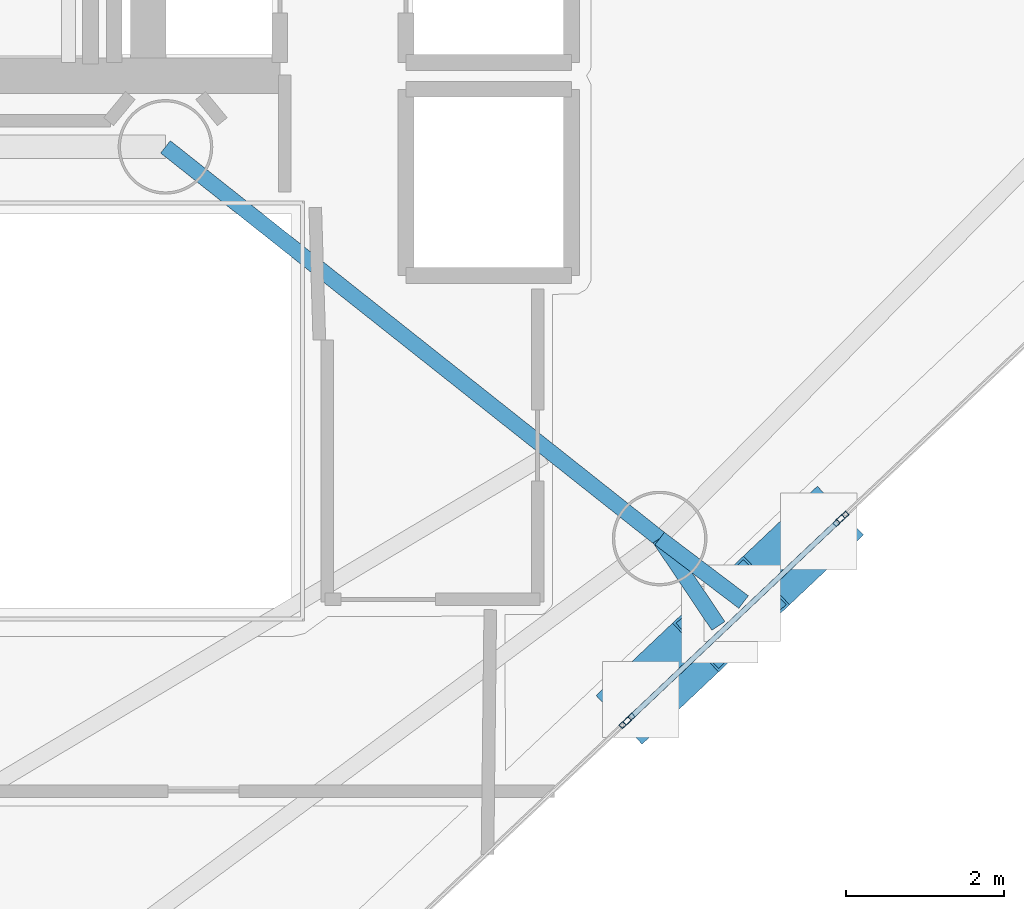
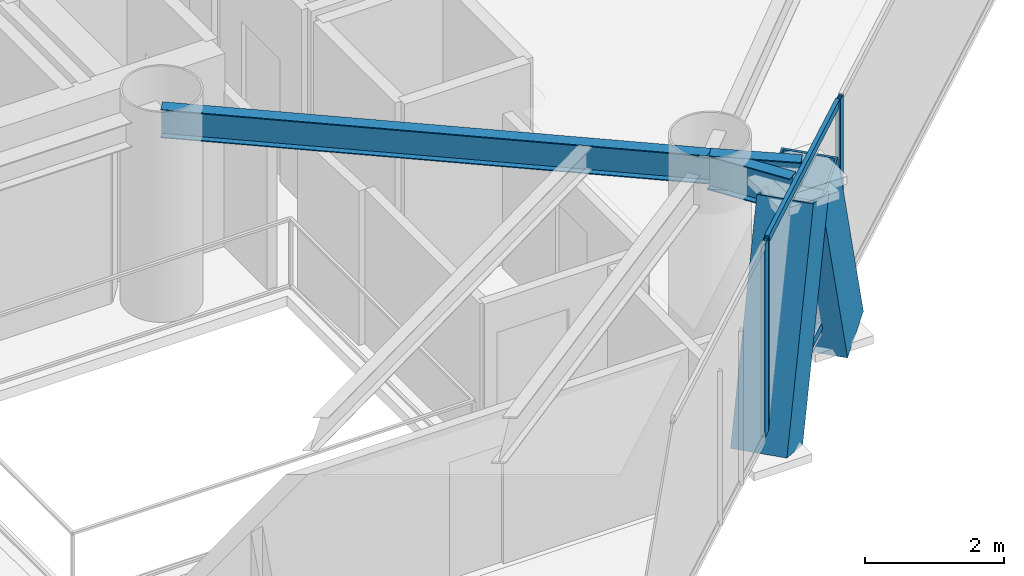
# One storey, part 5 of 20: 8 members, 3 beams, 3 elements without a shape of their own.
"""IFC4 building model written with IfcOpenShell, lengths in metres."""

import ifcopenshell
import ifcopenshell.guid

model = None  # the IFC model being written
_history = None  # IfcOwnerHistory: only IFC2X3 demands one
_inside = {}  # id of a spatial element -> (the spatial element, [elements in it])
_under = {}  # id of a project, library or spatial element -> (it, [spatial elements below it])
_declared = {}  # id of a project -> (the project, [libraries it declares])
_typed = {}  # id of a type object -> (the type object, [elements of that type])
_made_of = {}  # id of a material, layer set ... -> (it, [elements and type objects made of it])


def new_model(schema):
    """Start an empty IFC model of exactly this schema.

    Asked for "IFC4X3", IfcOpenShell would pick the latest addendum, in which some entities
    have other attributes; the version numbers below select the first issue.
    IFC2X3 requires an IfcOwnerHistory on every rooted entity: one is made here for all.
    """
    global model, _history
    if schema == "IFC4X3":
        model = ifcopenshell.file(schema_version=(4, 3, 0, 0))
    else:
        model = ifcopenshell.file(schema=schema)
    _inside.clear()
    _under.clear()
    _declared.clear()
    _typed.clear()
    _made_of.clear()
    _history = None
    if model.schema == "IFC2X3":
        org = make("IfcOrganization", Name="unknown")
        user = make(
            "IfcPersonAndOrganization",
            ThePerson=make("IfcPerson", FamilyName="unknown"),
            TheOrganization=org,
        )
        app = make(
            "IfcApplication",
            ApplicationDeveloper=org,
            Version="unknown",
            ApplicationFullName="unknown",
            ApplicationIdentifier="unknown",
        )
        _history = make(
            "IfcOwnerHistory",
            OwningUser=user,
            OwningApplication=app,
            ChangeAction="ADDED",
            CreationDate=0,
        )
    return model


def make(cls, **values):
    """One entity of the class cls with the attributes given. An attribute that is None is left unset."""
    return model.create_entity(
        cls, **{name: value for name, value in values.items() if value is not None}
    )


def rooted(cls, **values):
    """An entity with a GlobalId (a new one), such as an element, a storey or a relation."""
    return make(cls, GlobalId=ifcopenshell.guid.new(), OwnerHistory=_history, **values)


def si_unit(unit_type, name, prefix=None):
    """IfcSIUnit, for example si_unit("LENGTHUNIT", "METRE", prefix="MILLI")."""
    return make("IfcSIUnit", UnitType=unit_type, Prefix=prefix, Name=name)


def assignment(units):
    """IfcUnitAssignment: the units of a project."""
    return None if units is None else make("IfcUnitAssignment", Units=units)


def point(xyz):
    """IfcCartesianPoint."""
    return None if xyz is None else make("IfcCartesianPoint", Coordinates=xyz)


def direction(xyz):
    """IfcDirection."""
    return None if xyz is None else make("IfcDirection", DirectionRatios=xyz)


def frame(location, z_axis=None, x_axis=None):
    """IfcAxis2Placement3D, a coordinate frame: its origin and axes. An axis left out is left unset."""
    return make(
        "IfcAxis2Placement3D",
        Location=point(location),
        Axis=direction(z_axis),
        RefDirection=direction(x_axis),
    )


def frame_2d(location, x_axis=None):
    """IfcAxis2Placement2D, a coordinate frame in the plane: its origin and x axis."""
    return make(
        "IfcAxis2Placement2D", Location=point(location), RefDirection=direction(x_axis)
    )


def origin():
    """The frame at (0, 0, 0) with its axes left unset."""
    return frame((0.0, 0.0, 0.0))


def origin_2d():
    """The frame at (0, 0) in the plane with its x axis left unset."""
    return frame_2d((0.0, 0.0))


def place(relative_to, where):
    """IfcLocalPlacement: puts the frame where relative to a parent placement (None: the world)."""
    return make(
        "IfcLocalPlacement", PlacementRelTo=relative_to, RelativePlacement=where
    )


def context(
    kind, dimensions, precision=None, world=None, true_north=None, identifier=None
):
    """IfcGeometricRepresentationContext, for example the 3D "Model" context."""
    return make(
        "IfcGeometricRepresentationContext",
        ContextIdentifier=identifier,
        ContextType=kind,
        CoordinateSpaceDimension=dimensions,
        Precision=precision,
        WorldCoordinateSystem=world,
        TrueNorth=true_north,
    )


def subcontext(parent, identifier, kind, view, scale=None):
    """IfcGeometricRepresentationSubContext, for example "Body" below "Model"."""
    return make(
        "IfcGeometricRepresentationSubContext",
        ContextIdentifier=identifier,
        ContextType=kind,
        ParentContext=parent,
        TargetScale=scale,
        TargetView=view,
    )


def project(units=None, contexts=None):
    """IfcProject with its units and contexts."""
    return rooted(
        "IfcProject",
        Name="project",
        RepresentationContexts=contexts,
        UnitsInContext=assignment(units),
    )


def spatial(cls, under=None, at=None, **own):
    """A site, building, storey or space (cls), placed at a placement, below another one or the project."""
    s = rooted(cls, ObjectPlacement=at, **own)
    if under is not None:
        _under.setdefault(under.id(), (under, []))[1].append(s)
    return s


def profile(cls, at=None, kind="AREA", **sizes):
    """A parametric profile (cls). Its sizes go by their IFC names, for example OverallWidth=200.0."""
    return make(cls, ProfileType=kind, Position=at, **sizes)


def hollow_rectangle(**sizes):
    """IfcRectangleHollowProfileDef."""
    return profile("IfcRectangleHollowProfileDef", **sizes)


def i_section(**sizes):
    """IfcIShapeProfileDef."""
    return profile("IfcIShapeProfileDef", **sizes)


def extrude(swept, where, along, depth):
    """IfcExtrudedAreaSolid: the profile swept, set in the frame where, extruded along a direction by depth."""
    return make(
        "IfcExtrudedAreaSolid",
        SweptArea=swept,
        Position=where,
        ExtrudedDirection=direction(along),
        Depth=depth,
    )


def shape(context_of_items, identifier, shape_type, items):
    """IfcShapeRepresentation: the items that make up one representation, for example the "Body"."""
    return make(
        "IfcShapeRepresentation",
        ContextOfItems=context_of_items,
        RepresentationIdentifier=identifier,
        RepresentationType=shape_type,
        Items=items,
    )


def material(Name=None, Category=None):
    """IfcMaterial."""
    return make("IfcMaterial", Name=Name, Category=Category)


def layer(
    of_material, thickness, ventilated=None, Name=None, Category=None, Priority=None
):
    """IfcMaterialLayer: one layer of a wall or slab, of a material (None: an air gap)."""
    return make(
        "IfcMaterialLayer",
        Material=of_material,
        LayerThickness=thickness,
        IsVentilated=ventilated,
        Name=Name,
        Category=Category,
        Priority=Priority,
    )


def layer_set(layers, Name=None):
    """IfcMaterialLayerSet."""
    return make("IfcMaterialLayerSet", MaterialLayers=layers, LayerSetName=Name)


def material_profile(
    of_material, cross_section, Name=None, Category=None, Priority=None
):
    """IfcMaterialProfile: a cross section and its material."""
    return make(
        "IfcMaterialProfile",
        Name=Name,
        Material=of_material,
        Profile=cross_section,
        Priority=Priority,
        Category=Category,
    )


def profile_set(profiles, Name=None, composite=None):
    """IfcMaterialProfileSet."""
    return make(
        "IfcMaterialProfileSet",
        Name=Name,
        MaterialProfiles=profiles,
        CompositeProfile=composite,
    )


def made_of(thing, what):
    """Note that an element or type object is made of a material, layer set ...; save() writes the relation."""
    if what is not None:
        _made_of.setdefault(what.id(), (what, []))[1].append(thing)
    return thing


def type_object(cls, material=None, **own):
    """A type object (cls), such as IfcWallType, which elements share."""
    return made_of(rooted(cls, **own), material)


def element(
    cls,
    number,
    at=None,
    inside=None,
    cuts=None,
    type_object=None,
    material=None,
    context=None,
    identifier="Body",
    shape_type=None,
    held_by="IfcProductDefinitionShape",
    body=None,
    shapes=None,
    **own,
):
    """One element of the class cls, such as IfcWall. Its Tag is "e" and its number.

    at: its placement. inside: the storey or other place that contains it. cuts: it is an
    opening in that element (IfcRelVoidsElement). A single representation is given by context,
    identifier, shape_type and body (its items); several are given by shapes. held_by: the class
    of the entity that holds the representations. save() writes the other relations.
    """
    e = rooted(cls, Tag="e%d" % number, ObjectPlacement=at, **own)
    if body is not None:
        shapes = [shape(context, identifier, shape_type, body)]
    if shapes is not None:
        e.Representation = make(held_by, Representations=shapes)
    if inside is not None:
        _inside.setdefault(inside.id(), (inside, []))[1].append(e)
    if cuts is not None:
        rooted(
            "IfcRelVoidsElement", RelatingBuildingElement=cuts, RelatedOpeningElement=e
        )
    if type_object is not None:
        _typed.setdefault(type_object.id(), (type_object, []))[1].append(e)
    return made_of(e, material)


def aggregate(whole, parts):
    """IfcRelAggregates: a whole, such as a stair, and the parts it consists of."""
    return rooted("IfcRelAggregates", RelatingObject=whole, RelatedObjects=parts)


def save(model, path):
    """Write the relations noted so far, then the file.

    IfcRelAggregates (storeys below a building ...), IfcRelContainedInSpatialStructure (elements
    in a storey), IfcRelDefinesByType, IfcRelAssociatesMaterial and IfcRelDeclares: one each for
    every whole, place, type object, material and project.
    """
    for whole, parts in _under.values():
        aggregate(whole, parts)
    for where, things in _inside.values():
        rooted(
            "IfcRelContainedInSpatialStructure",
            RelatedElements=things,
            RelatingStructure=where,
        )
    for kind, things in _typed.values():
        rooted("IfcRelDefinesByType", RelatedObjects=things, RelatingType=kind)
    for what, things in _made_of.values():
        rooted("IfcRelAssociatesMaterial", RelatedObjects=things, RelatingMaterial=what)
    for by, libraries in _declared.values():
        rooted("IfcRelDeclares", RelatingContext=by, RelatedDefinitions=libraries)
    model.write(path)


model = new_model("IFC4")

# Units and contexts
model_context = context("Model", 3, precision=1e-05, world=origin(), true_north=direction((0.0, 1.0)))
body_context = subcontext(model_context, "Body", "Model", "MODEL_VIEW")
ifc_project = project(units=[si_unit("LENGTHUNIT", "METRE"), si_unit("AREAUNIT", "SQUARE_METRE"), si_unit("VOLUMEUNIT", "CUBIC_METRE"), si_unit("PLANEANGLEUNIT", "RADIAN"), si_unit("MASSUNIT", "GRAM", prefix="KILO")], contexts=[model_context])

# Site, building, storey
site_placement = place(None, origin())
site = spatial("IfcSite", under=ifc_project, at=site_placement, CompositionType="ELEMENT")
building_placement = place(site_placement, origin())
building = spatial("IfcBuilding", under=site, at=building_placement, Name="Qianvela Tower", CompositionType="ELEMENT")
storey_placement = place(building_placement, frame((0.0, 0.0, 226.199951171875)))
storey = spatial("IfcBuildingStorey", under=building, at=storey_placement, Name="L58", CompositionType="ELEMENT", Elevation=226.199951171875)

# Beams
ifc_material_1 = material(Name="Steel Q355B", Category="steel")
ifc_material_profile_1 = material_profile(ifc_material_1, i_section(OverallWidth=0.199951171875, OverallDepth=0.5, WebThickness=0.010009765625, FlangeThickness=0.01611328125, at=origin_2d()), Name="HN500x200x10x16")
ifc_profile_set_1 = profile_set([ifc_material_profile_1], Name="Steel Q355B")
beam_type_1 = type_object("IfcBeamType", Name="BM-HN500-GIRD", PredefinedType="BEAM", material=ifc_profile_set_1)
beam_1_placement = place(storey_placement, frame((38.39990234375, 23.85009765625, 3.14794921875), z_axis=(0.783705217119, -0.621132942824, 0.0), x_axis=(0.621132942824, 0.783705217119, 0.0)))
element("IfcBeam", 1, at=beam_1_placement, inside=storey, type_object=beam_type_1, Name="L58 Radial Primary Floor Girder 6", PredefinedType="BEAM", context=body_context, shape_type="SweptSolid", body=[
    extrude(i_section(OverallWidth=0.199951171875, OverallDepth=0.5, WebThickness=0.010009765625, FlangeThickness=0.01611328125, at=origin_2d()), origin(), (0.0, 0.0, 1.0), 7.996826171875),
])
ifc_material_2 = material(Name="Steel Q355B", Category="steel")
ifc_material_profile_2 = material_profile(ifc_material_2, i_section(OverallWidth=0.199951171875, OverallDepth=0.60009765625, WebThickness=0.010986328125, FlangeThickness=0.01708984375, at=origin_2d()), Name="HN600x200x11x17")
ifc_profile_set_2 = profile_set([ifc_material_profile_2], Name="Steel Q355B")
beam_type_2 = type_object("IfcBeamType", Name="BM-HN600-GIRD", PredefinedType="BEAM", material=ifc_profile_set_2)
beam_2_placement = place(storey_placement, frame((44.6669921875, 18.883056640625, 3.09814453125), z_axis=(0.557860813157, -0.829934523408, 0.0), x_axis=(0.829934523408, 0.557860813157, 0.0)))
element("IfcBeam", 2, at=beam_2_placement, inside=storey, type_object=beam_type_2, Name="L58 Mega-Brace Column Tie Bracket F3-1", PredefinedType="BEAM", context=body_context, shape_type="SweptSolid", body=[
    extrude(i_section(OverallWidth=0.199951171875, OverallDepth=0.60009765625, WebThickness=0.010986328125, FlangeThickness=0.01708984375, at=origin_2d()), origin(), (0.0, 0.0, 1.0), 1.335205078125),
])
beam_3_placement = place(storey_placement, frame((44.6669921875, 18.883056640625, 3.09814453125), z_axis=(0.797358815517, -0.603505525506, 0.0), x_axis=(0.603505525506, 0.797358815517, 0.0)))
element("IfcBeam", 3, at=beam_3_placement, inside=storey, type_object=beam_type_2, Name="L58 Mega-Brace Column Tie Bracket F3-2", PredefinedType="BEAM", context=body_context, shape_type="SweptSolid", body=[
    extrude(i_section(OverallWidth=0.199951171875, OverallDepth=0.60009765625, WebThickness=0.010986328125, FlangeThickness=0.01708984375, at=origin_2d()), origin(), (0.0, 0.0, 1.0), 1.3349609375),
])

# Curtain wall, members
ifc_material_3 = material(Name="Anodised Architectural Aluminium and Insulated Spandrel Panel", Category="aluminium")
ifc_layer_1 = layer(ifc_material_3, 0.179931640625)
ifc_layer_set_1 = layer_set([ifc_layer_1], Name="Anodised Architectural Aluminium and Insulated Spandrel Panel")
curtain_wall_type_1 = type_object("IfcCurtainWallType", Name="CW-BRACEBAY", PredefinedType="USERDEFINED", material=ifc_layer_set_1)
curtain_wall_1_placement = place(storey_placement, origin())
curtain_wall_1 = element("IfcCurtainWall", 4, at=curtain_wall_1_placement, inside=storey, type_object=curtain_wall_type_1, Name="L58 CW-BRACEBAY Curtain Wall 06B", ObjectType="CURTAIN_WALL_SYSTEM", PredefinedType="USERDEFINED")
ifc_material_4 = material(Name="Anodised Architectural Aluminium 6063-T6", Category="aluminium")
ifc_material_profile_3 = material_profile(ifc_material_4, hollow_rectangle(XDim=0.06494140625, YDim=0.159912109375, WallThickness=0.0048828125, at=origin_2d()), Name="ALU-MULL-65x160")
ifc_profile_set_3 = profile_set([ifc_material_profile_3], Name="Anodised Architectural Aluminium 6063-T6")
member_type_1 = type_object("IfcMemberType", Name="CW-BRACEBAY-MULL", PredefinedType="MULLION", material=ifc_profile_set_3)
member_1_placement = place(storey_placement, frame((44.277587890625, 16.592529296875, 0.0), z_axis=(0.0, 0.0, 1.0), x_axis=(-0.687002888745, 0.726654684741, 0.0)))
member_1 = element("IfcMember", 5, at=member_1_placement, type_object=member_type_1, Name="CW-9 mullion 1", PredefinedType="MULLION", context=body_context, shape_type="SweptSolid", body=[
    extrude(hollow_rectangle(XDim=0.06494140625, YDim=0.159912109375, WallThickness=0.0048828125, at=origin_2d()), origin(), (0.0, 0.0, 1.0), 3.400146484375),
])
member_2_placement = place(storey_placement, frame((46.940673828125, 19.1103515625, 0.0), z_axis=(0.0, 0.0, 1.0), x_axis=(-0.687002888745, 0.726654684741, 0.0)))
member_2 = element("IfcMember", 6, at=member_2_placement, type_object=member_type_1, Name="CW-9 mullion 2", PredefinedType="MULLION", context=body_context, shape_type="SweptSolid", body=[
    extrude(hollow_rectangle(XDim=0.06494140625, YDim=0.159912109375, WallThickness=0.0048828125, at=origin_2d()), origin(), (0.0, 0.0, 1.0), 3.400146484375),
])
ifc_material_5 = material(Name="Anodised Architectural Aluminium 6063-T6", Category="aluminium")
ifc_material_profile_4 = material_profile(ifc_material_5, hollow_rectangle(XDim=0.06494140625, YDim=0.1298828125, WallThickness=0.00439453125, at=origin_2d()), Name="ALU-TRAN-65x130")
ifc_profile_set_4 = profile_set([ifc_material_profile_4], Name="Anodised Architectural Aluminium 6063-T6")
member_type_2 = type_object("IfcMemberType", Name="CW-BRACEBAY-TRAN", PredefinedType="USERDEFINED", material=ifc_profile_set_4)
member_3_placement = place(storey_placement, frame((44.30126953125, 16.614990234375, 0.032470703125), z_axis=(0.726665120845, 0.686991850132, 0.0), x_axis=(-0.686991850132, 0.726665120845, 0.0)))
member_3 = element("IfcMember", 7, at=member_3_placement, type_object=member_type_2, Name="CW-9 transom 1.1", ObjectType="TRANSOM", PredefinedType="USERDEFINED", context=body_context, shape_type="SweptSolid", body=[
    extrude(hollow_rectangle(XDim=0.06494140625, YDim=0.1298828125, WallThickness=0.00439453125, at=origin_2d()), origin(), (0.0, 0.0, 1.0), 3.599853515625),
])
member_4_placement = place(storey_placement, frame((44.30126953125, 16.614990234375, 3.367431640625), z_axis=(0.726665120845, 0.686991850132, 0.0), x_axis=(-0.686991850132, 0.726665120845, 0.0)))
member_4 = element("IfcMember", 8, at=member_4_placement, type_object=member_type_2, Name="CW-9 transom 1.2", ObjectType="TRANSOM", PredefinedType="USERDEFINED", context=body_context, shape_type="SweptSolid", body=[
    extrude(hollow_rectangle(XDim=0.06494140625, YDim=0.1298828125, WallThickness=0.00439453125, at=origin_2d()), origin(), (0.0, 0.0, 1.0), 3.599853515625),
])
aggregate(curtain_wall_1, [member_1, member_2, member_3, member_4])

# Curtain wall, member
ifc_material_6 = material(Name="Anodised Architectural Aluminium and Low-E Glass", Category="aluminium")
ifc_layer_2 = layer(ifc_material_6, 0.159912109375)
ifc_layer_set_2 = layer_set([ifc_layer_2], Name="Anodised Architectural Aluminium and Low-E Glass")
curtain_wall_type_2 = type_object("IfcCurtainWallType", Name="CW-COLIV-Z56", PredefinedType="USERDEFINED", material=ifc_layer_set_2)
curtain_wall_2_placement = place(storey_placement, origin())
curtain_wall_2 = element("IfcCurtainWall", 9, at=curtain_wall_2_placement, inside=storey, type_object=curtain_wall_type_2, Name="L58 CW-COLIV-Z56 Curtain Wall 06A", ObjectType="CURTAIN_WALL_SYSTEM", PredefinedType="USERDEFINED")
ifc_material_7 = material(Name="Anodised Architectural Aluminium 6063-T6", Category="aluminium")
ifc_material_profile_5 = material_profile(ifc_material_7, hollow_rectangle(XDim=0.06494140625, YDim=0.159912109375, WallThickness=0.0048828125, at=origin_2d()), Name="ALU-MULL-65x160")
ifc_profile_set_5 = profile_set([ifc_material_profile_5], Name="Anodised Architectural Aluminium 6063-T6")
member_type_3 = type_object("IfcMemberType", Name="CW-COLIV-Z56-MULL", PredefinedType="MULLION", material=ifc_profile_set_5)
member_5_placement = place(storey_placement, frame((44.23046875, 16.5478515625, 0.0), z_axis=(0.0, 0.0, 1.0), x_axis=(-0.686997436207, 0.726659839708, 0.0)))
member_5 = element("IfcMember", 10, at=member_5_placement, type_object=member_type_3, Name="CW-5 mullion 3", PredefinedType="MULLION", context=body_context, shape_type="SweptSolid", body=[
    extrude(hollow_rectangle(XDim=0.06494140625, YDim=0.159912109375, WallThickness=0.0048828125, at=origin_2d()), origin(), (0.0, 0.0, 1.0), 3.400146484375),
])
aggregate(curtain_wall_2, [member_5])

curtain_wall_3_placement = place(storey_placement, origin())
curtain_wall_3 = element("IfcCurtainWall", 11, at=curtain_wall_3_placement, inside=storey, type_object=curtain_wall_type_2, Name="L58 CW-COLIV-Z56 Curtain Wall 06C", ObjectType="CURTAIN_WALL_SYSTEM", PredefinedType="USERDEFINED")
member_6_placement = place(storey_placement, frame((46.988037109375, 19.155029296875, 0.0), z_axis=(0.0, 0.0, 1.0), x_axis=(-0.686998309201, 0.726659014363, 0.0)))
member_6 = element("IfcMember", 12, at=member_6_placement, type_object=member_type_3, Name="CW-5 mullion 1", PredefinedType="MULLION", context=body_context, shape_type="SweptSolid", body=[
    extrude(hollow_rectangle(XDim=0.06494140625, YDim=0.159912109375, WallThickness=0.0048828125, at=origin_2d()), origin(), (0.0, 0.0, 1.0), 3.400146484375),
])
aggregate(curtain_wall_3, [member_6])

# Members
ifc_material_8 = material(Name="Steel Q420GJC", Category="steel")
ifc_material_profile_6 = material_profile(ifc_material_8, hollow_rectangle(XDim=0.85009765625, YDim=0.85009765625, WallThickness=0.031982421875, at=origin_2d()), Name="MBOX-850x850x32")
ifc_profile_set_6 = profile_set([ifc_material_profile_6], Name="Steel Q420GJC")
member_type_4 = type_object("IfcMemberType", Name="MBR-MBRACE-850", PredefinedType="BRACE", material=ifc_profile_set_6)
member_7_placement = place(storey_placement, frame((44.44140625, 16.857666015625, -0.48193359375), z_axis=(0.25398009353, 0.240051122363, 0.936946941263), x_axis=(-0.686897283871, 0.72675451248, 0.0)))
element("IfcMember", 13, at=member_7_placement, inside=storey, type_object=member_type_4, Name="L58 Tier 9 Exterior Mega-Brace F3A", PredefinedType="BRACE", context=body_context, shape_type="SweptSolid", body=[
    extrude(hollow_rectangle(XDim=0.85009765625, YDim=0.85009765625, WallThickness=0.031982421875, at=origin_2d()), origin(), (0.0, 0.0, 1.0), 3.821044921875),
])
member_8_placement = place(storey_placement, frame((46.66845703125, 18.963134765625, -0.48193359375), z_axis=(-0.246245553044, -0.232771981877, 0.940840226637), x_axis=(0.686945939866, -0.726708521831, 0.0)))
element("IfcMember", 14, at=member_8_placement, inside=storey, type_object=member_type_4, Name="L58 Tier 9 Exterior Mega-Brace F3B", PredefinedType="BRACE", context=body_context, shape_type="SweptSolid", body=[
    extrude(hollow_rectangle(XDim=0.85009765625, YDim=0.85009765625, WallThickness=0.031982421875, at=origin_2d()), origin(), (0.0, 0.0, 1.0), 3.80517578125),
])

save(model, "model.ifc")
